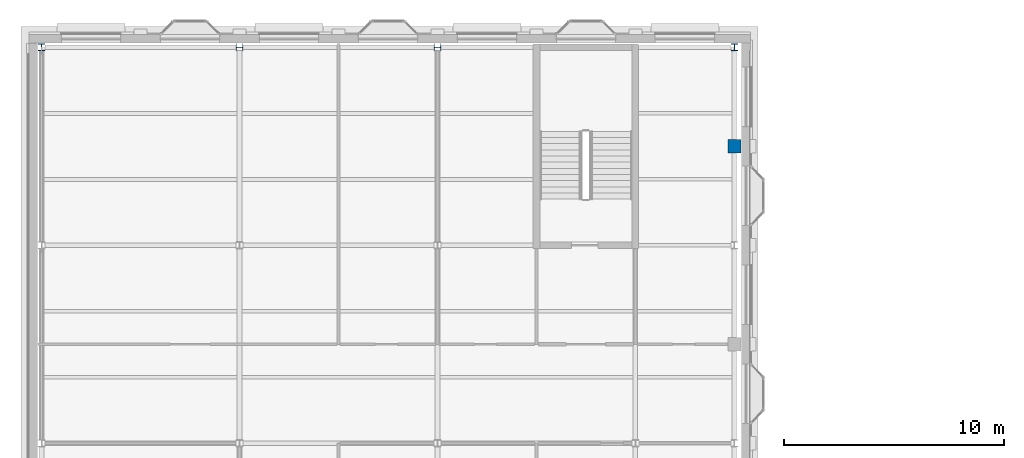
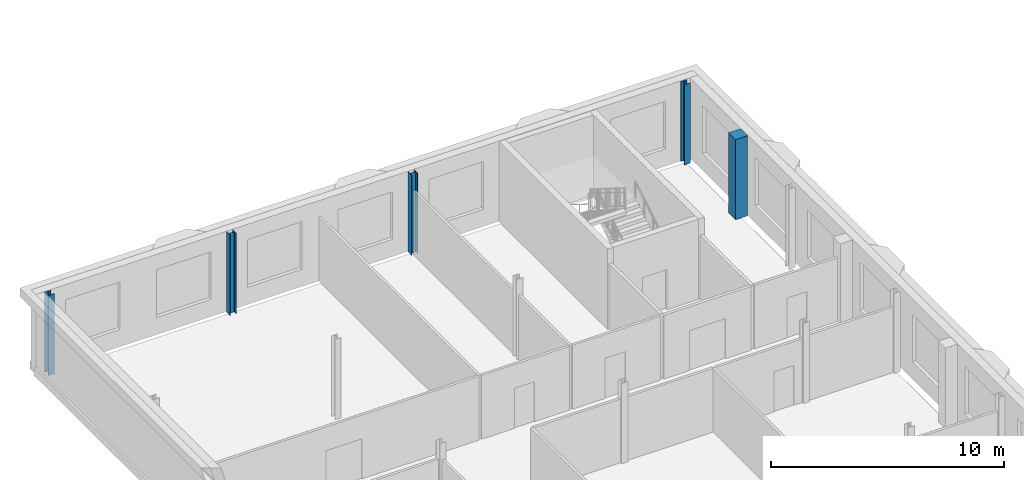
# One storey, part 3 of 62: 5 columns.
"""IFC4 building model written with IfcOpenShell, lengths in metres."""

from ifc_helpers import new_model, si_unit, direction, frame, origin, origin_2d, place, context, subcontext, project, spatial, rectangle, i_section, extrude, material, material_profile, profile_set, type_object, element, save


model = new_model("IFC4")

# Units and contexts
model_context = context("Model", 3, precision=1e-05, world=origin(), true_north=direction((0.0, 1.0)))
body_context = subcontext(model_context, "Body", "Model", "MODEL_VIEW")
ifc_project = project(units=[si_unit("LENGTHUNIT", "METRE"), si_unit("AREAUNIT", "SQUARE_METRE"), si_unit("VOLUMEUNIT", "CUBIC_METRE"), si_unit("PLANEANGLEUNIT", "RADIAN"), si_unit("MASSUNIT", "GRAM", prefix="KILO")], contexts=[model_context])

# Site, building, storey
site_placement = place(None, origin())
site = spatial("IfcSite", under=ifc_project, at=site_placement, CompositionType="ELEMENT")
building_placement = place(site_placement, origin())
building = spatial("IfcBuilding", under=site, at=building_placement, Name="Hortulan Conservatory and Botanical Research Centre", CompositionType="ELEMENT")
storey_placement = place(building_placement, frame((0.0, 0.0, 15.0)))
storey = spatial("IfcBuildingStorey", under=building, at=storey_placement, Name="L03", CompositionType="ELEMENT", Elevation=15.0)

# Columns
ifc_material_1 = material(Name="Sandstone masonry (25 MPa, AS 3700)", Category="masonry")
ifc_material_profile_1 = material_profile(ifc_material_1, rectangle(XDim=0.60009765625, YDim=0.60009765625, at=origin_2d()), Name="Square pier 600")
ifc_profile_set_1 = profile_set([ifc_material_profile_1], Name="Sandstone masonry (25 MPa, AS 3700)")
column_type_1 = type_object("IfcColumnType", Name="Sandstone Arcade Pier 600x600", PredefinedType="COLUMN", material=ifc_profile_set_1)
column_placement = place(storey_placement, frame((31.5, 67.5, 0.0), z_axis=(0.0, 0.0, 1.0), x_axis=(1.0, 0.0, 0.0)))
element("IfcColumn", 1, at=column_placement, inside=storey, type_object=column_type_1, Name="Sandstone arcade pier P-31.5-67.5 L03", PredefinedType="COLUMN", context=body_context, shape_type="SweptSolid", body=[
    extrude(rectangle(XDim=0.60009765625, YDim=0.60009765625, at=origin_2d()), origin(), (0.0, 0.0, 1.0), 4.199951171875),
])
ifc_material_2 = material(Name="Steel Grade 300PLUS (AS/NZS 3679.1, 280 MPa minimum yield)", Category="steel")
ifc_material_profile_2 = material_profile(ifc_material_2, i_section(OverallWidth=0.306884765625, OverallDepth=0.31494140625, WebThickness=0.011962890625, FlangeThickness=0.018798828125, FilletRadius=0.0166015625, at=origin_2d()), Name="310UC118")
ifc_profile_set_2 = profile_set([ifc_material_profile_2], Name="Steel Grade 300PLUS (AS/NZS 3679.1, 280 MPa minimum yield)")
column_type_2 = type_object("IfcColumnType", Name="Visitor Centre Column 310UC118", PredefinedType="COLUMN", material=ifc_profile_set_2)
for number, where, z_axis, x_axis, name in (
    (2, (0.0, 72.0, 0.0), (0.0, 0.0, 1.0), (1.0, 0.0, 0.0), "310UC118 column"),
    (3, (9.0, 72.0, 0.0), (0.0, 0.0, 1.0), (0.0, 1.0, 0.0), "310UC118 column"),
    (4, (18.0, 72.0, 0.0), (0.0, 0.0, 1.0), (0.0, 1.0, 0.0), "310UC118 column"),
    (5, (31.5, 72.0, 0.0), (0.0, 0.0, 1.0), (1.0, 0.0, 0.0), "310UC118 column"),
):
    element("IfcColumn", number, at=place(storey_placement, frame(where, z_axis=z_axis, x_axis=x_axis)), inside=storey, type_object=column_type_2, Name=name, PredefinedType="COLUMN", context=body_context, shape_type="SweptSolid", body=[
        extrude(i_section(OverallWidth=0.306884765625, OverallDepth=0.31494140625, WebThickness=0.011962890625, FlangeThickness=0.018798828125, FilletRadius=0.0166015625, at=origin_2d()), origin(), (0.0, 0.0, 1.0), 4.199951171875),
    ])

save(model, "model.ifc")
